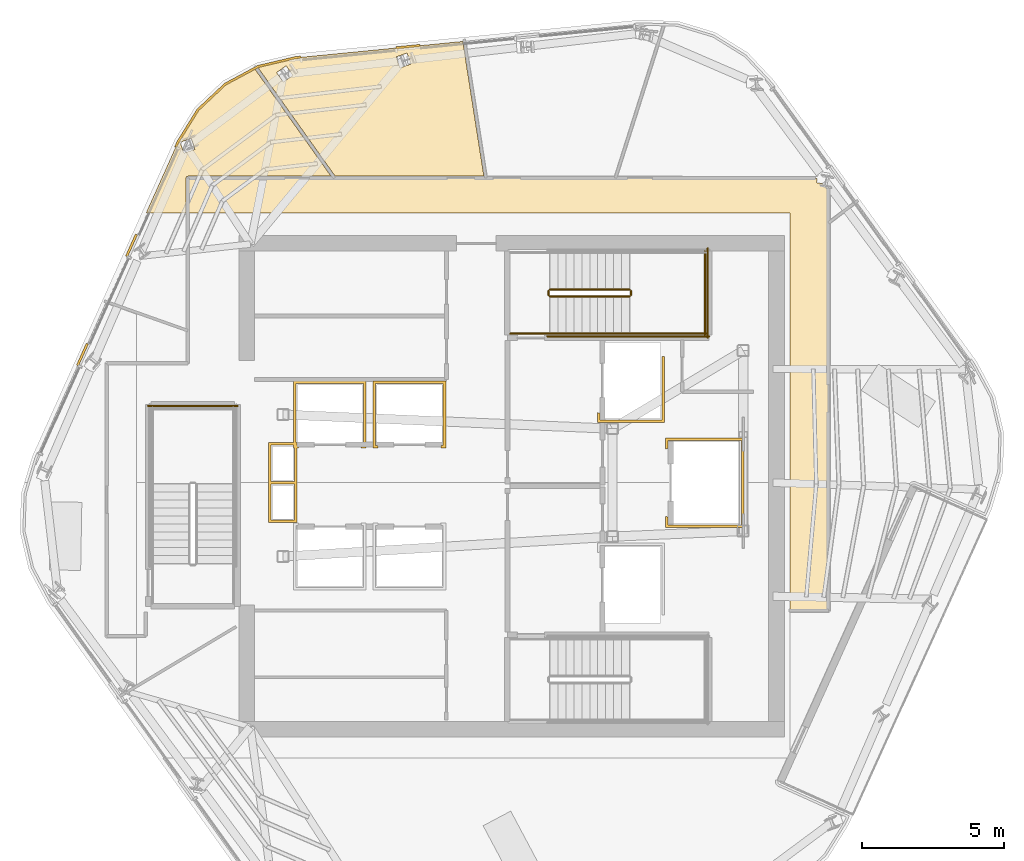
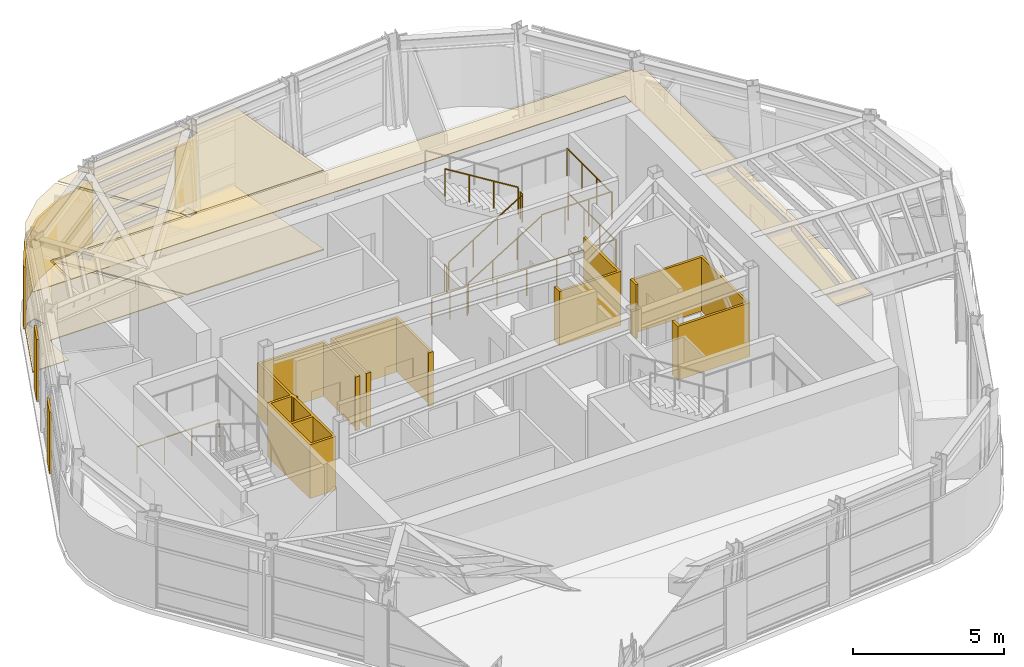
# One storey, part 10 of 12: 13 coverings, 11 railings.
"""IFC4 building model written with IfcOpenShell, lengths in metres."""

import ifcopenshell
import ifcopenshell.guid

model = None  # the IFC model being written
_history = None  # IfcOwnerHistory: only IFC2X3 demands one
_inside = {}  # id of a spatial element -> (the spatial element, [elements in it])
_under = {}  # id of a project, library or spatial element -> (it, [spatial elements below it])
_declared = {}  # id of a project -> (the project, [libraries it declares])
_typed = {}  # id of a type object -> (the type object, [elements of that type])
_made_of = {}  # id of a material, layer set ... -> (it, [elements and type objects made of it])


def new_model(schema):
    """Start an empty IFC model of exactly this schema.

    Asked for "IFC4X3", IfcOpenShell would pick the latest addendum, in which some entities
    have other attributes; the version numbers below select the first issue.
    IFC2X3 requires an IfcOwnerHistory on every rooted entity: one is made here for all.
    """
    global model, _history
    if schema == "IFC4X3":
        model = ifcopenshell.file(schema_version=(4, 3, 0, 0))
    else:
        model = ifcopenshell.file(schema=schema)
    _inside.clear()
    _under.clear()
    _declared.clear()
    _typed.clear()
    _made_of.clear()
    _history = None
    if model.schema == "IFC2X3":
        org = make("IfcOrganization", Name="unknown")
        user = make(
            "IfcPersonAndOrganization",
            ThePerson=make("IfcPerson", FamilyName="unknown"),
            TheOrganization=org,
        )
        app = make(
            "IfcApplication",
            ApplicationDeveloper=org,
            Version="unknown",
            ApplicationFullName="unknown",
            ApplicationIdentifier="unknown",
        )
        _history = make(
            "IfcOwnerHistory",
            OwningUser=user,
            OwningApplication=app,
            ChangeAction="ADDED",
            CreationDate=0,
        )
    return model


def make(cls, **values):
    """One entity of the class cls with the attributes given. An attribute that is None is left unset."""
    return model.create_entity(
        cls, **{name: value for name, value in values.items() if value is not None}
    )


def rooted(cls, **values):
    """An entity with a GlobalId (a new one), such as an element, a storey or a relation."""
    return make(cls, GlobalId=ifcopenshell.guid.new(), OwnerHistory=_history, **values)


def si_unit(unit_type, name, prefix=None):
    """IfcSIUnit, for example si_unit("LENGTHUNIT", "METRE", prefix="MILLI")."""
    return make("IfcSIUnit", UnitType=unit_type, Prefix=prefix, Name=name)


def assignment(units):
    """IfcUnitAssignment: the units of a project."""
    return None if units is None else make("IfcUnitAssignment", Units=units)


def point(xyz):
    """IfcCartesianPoint."""
    return None if xyz is None else make("IfcCartesianPoint", Coordinates=xyz)


def direction(xyz):
    """IfcDirection."""
    return None if xyz is None else make("IfcDirection", DirectionRatios=xyz)


def frame(location, z_axis=None, x_axis=None):
    """IfcAxis2Placement3D, a coordinate frame: its origin and axes. An axis left out is left unset."""
    return make(
        "IfcAxis2Placement3D",
        Location=point(location),
        Axis=direction(z_axis),
        RefDirection=direction(x_axis),
    )


def frame_2d(location, x_axis=None):
    """IfcAxis2Placement2D, a coordinate frame in the plane: its origin and x axis."""
    return make(
        "IfcAxis2Placement2D", Location=point(location), RefDirection=direction(x_axis)
    )


def origin():
    """The frame at (0, 0, 0) with its axes left unset."""
    return frame((0.0, 0.0, 0.0))


def origin_2d():
    """The frame at (0, 0) in the plane with its x axis left unset."""
    return frame_2d((0.0, 0.0))


def place(relative_to, where):
    """IfcLocalPlacement: puts the frame where relative to a parent placement (None: the world)."""
    return make(
        "IfcLocalPlacement", PlacementRelTo=relative_to, RelativePlacement=where
    )


def context(
    kind, dimensions, precision=None, world=None, true_north=None, identifier=None
):
    """IfcGeometricRepresentationContext, for example the 3D "Model" context."""
    return make(
        "IfcGeometricRepresentationContext",
        ContextIdentifier=identifier,
        ContextType=kind,
        CoordinateSpaceDimension=dimensions,
        Precision=precision,
        WorldCoordinateSystem=world,
        TrueNorth=true_north,
    )


def subcontext(parent, identifier, kind, view, scale=None):
    """IfcGeometricRepresentationSubContext, for example "Body" below "Model"."""
    return make(
        "IfcGeometricRepresentationSubContext",
        ContextIdentifier=identifier,
        ContextType=kind,
        ParentContext=parent,
        TargetScale=scale,
        TargetView=view,
    )


def project(units=None, contexts=None):
    """IfcProject with its units and contexts."""
    return rooted(
        "IfcProject",
        Name="project",
        RepresentationContexts=contexts,
        UnitsInContext=assignment(units),
    )


def spatial(cls, under=None, at=None, **own):
    """A site, building, storey or space (cls), placed at a placement, below another one or the project."""
    s = rooted(cls, ObjectPlacement=at, **own)
    if under is not None:
        _under.setdefault(under.id(), (under, []))[1].append(s)
    return s


def polyline(points):
    """IfcPolyline through the points."""
    return make("IfcPolyline", Points=[point(p) for p in points])


def profile(cls, at=None, kind="AREA", **sizes):
    """A parametric profile (cls). Its sizes go by their IFC names, for example OverallWidth=200.0."""
    return make(cls, ProfileType=kind, Position=at, **sizes)


def circle(**sizes):
    """IfcCircleProfileDef."""
    return profile("IfcCircleProfileDef", **sizes)


def outline(outer, holes=None, kind="AREA"):
    """IfcArbitraryClosedProfileDef: a profile drawn as a closed curve; with holes, ...WithVoids."""
    if holes is None:
        return make("IfcArbitraryClosedProfileDef", ProfileType=kind, OuterCurve=outer)
    return make(
        "IfcArbitraryProfileDefWithVoids",
        ProfileType=kind,
        OuterCurve=outer,
        InnerCurves=holes,
    )


def extrude(swept, where, along, depth):
    """IfcExtrudedAreaSolid: the profile swept, set in the frame where, extruded along a direction by depth."""
    return make(
        "IfcExtrudedAreaSolid",
        SweptArea=swept,
        Position=where,
        ExtrudedDirection=direction(along),
        Depth=depth,
    )


def shape(context_of_items, identifier, shape_type, items):
    """IfcShapeRepresentation: the items that make up one representation, for example the "Body"."""
    return make(
        "IfcShapeRepresentation",
        ContextOfItems=context_of_items,
        RepresentationIdentifier=identifier,
        RepresentationType=shape_type,
        Items=items,
    )


def material(Name=None, Category=None):
    """IfcMaterial."""
    return make("IfcMaterial", Name=Name, Category=Category)


def layer(
    of_material, thickness, ventilated=None, Name=None, Category=None, Priority=None
):
    """IfcMaterialLayer: one layer of a wall or slab, of a material (None: an air gap)."""
    return make(
        "IfcMaterialLayer",
        Material=of_material,
        LayerThickness=thickness,
        IsVentilated=ventilated,
        Name=Name,
        Category=Category,
        Priority=Priority,
    )


def layer_set(layers, Name=None):
    """IfcMaterialLayerSet."""
    return make("IfcMaterialLayerSet", MaterialLayers=layers, LayerSetName=Name)


def made_of(thing, what):
    """Note that an element or type object is made of a material, layer set ...; save() writes the relation."""
    if what is not None:
        _made_of.setdefault(what.id(), (what, []))[1].append(thing)
    return thing


def type_object(cls, material=None, **own):
    """A type object (cls), such as IfcWallType, which elements share."""
    return made_of(rooted(cls, **own), material)


def element(
    cls,
    number,
    at=None,
    inside=None,
    cuts=None,
    type_object=None,
    material=None,
    context=None,
    identifier="Body",
    shape_type=None,
    held_by="IfcProductDefinitionShape",
    body=None,
    shapes=None,
    **own,
):
    """One element of the class cls, such as IfcWall. Its Tag is "e" and its number.

    at: its placement. inside: the storey or other place that contains it. cuts: it is an
    opening in that element (IfcRelVoidsElement). A single representation is given by context,
    identifier, shape_type and body (its items); several are given by shapes. held_by: the class
    of the entity that holds the representations. save() writes the other relations.
    """
    e = rooted(cls, Tag="e%d" % number, ObjectPlacement=at, **own)
    if body is not None:
        shapes = [shape(context, identifier, shape_type, body)]
    if shapes is not None:
        e.Representation = make(held_by, Representations=shapes)
    if inside is not None:
        _inside.setdefault(inside.id(), (inside, []))[1].append(e)
    if cuts is not None:
        rooted(
            "IfcRelVoidsElement", RelatingBuildingElement=cuts, RelatedOpeningElement=e
        )
    if type_object is not None:
        _typed.setdefault(type_object.id(), (type_object, []))[1].append(e)
    return made_of(e, material)


def aggregate(whole, parts):
    """IfcRelAggregates: a whole, such as a stair, and the parts it consists of."""
    return rooted("IfcRelAggregates", RelatingObject=whole, RelatedObjects=parts)


def save(model, path):
    """Write the relations noted so far, then the file.

    IfcRelAggregates (storeys below a building ...), IfcRelContainedInSpatialStructure (elements
    in a storey), IfcRelDefinesByType, IfcRelAssociatesMaterial and IfcRelDeclares: one each for
    every whole, place, type object, material and project.
    """
    for whole, parts in _under.values():
        aggregate(whole, parts)
    for where, things in _inside.values():
        rooted(
            "IfcRelContainedInSpatialStructure",
            RelatedElements=things,
            RelatingStructure=where,
        )
    for kind, things in _typed.values():
        rooted("IfcRelDefinesByType", RelatedObjects=things, RelatingType=kind)
    for what, things in _made_of.values():
        rooted("IfcRelAssociatesMaterial", RelatedObjects=things, RelatingMaterial=what)
    for by, libraries in _declared.values():
        rooted("IfcRelDeclares", RelatingContext=by, RelatedDefinitions=libraries)
    model.write(path)


model = new_model("IFC4")

# Units and contexts
model_context = context("Model", 3, precision=1e-05, world=origin(), true_north=direction((0.0, 1.0)))
body_context = subcontext(model_context, "Body", "Model", "MODEL_VIEW")
ifc_project = project(units=[si_unit("LENGTHUNIT", "METRE"), si_unit("AREAUNIT", "SQUARE_METRE"), si_unit("VOLUMEUNIT", "CUBIC_METRE"), si_unit("PLANEANGLEUNIT", "RADIAN"), si_unit("MASSUNIT", "GRAM", prefix="KILO")], contexts=[model_context])

# Site, building, storey
site_placement = place(None, origin())
site = spatial("IfcSite", under=ifc_project, at=site_placement, CompositionType="ELEMENT")
building_placement = place(site_placement, origin())
building = spatial("IfcBuilding", under=site, at=building_placement, Name="Valkerne Bourse Tower", CompositionType="ELEMENT")
storey_placement = place(building_placement, frame((0.0, 0.0, 307.800048828125)))
storey = spatial("IfcBuildingStorey", under=building, at=storey_placement, Name="L78", CompositionType="ELEMENT", Elevation=307.800048828125)

# Coverings
ifc_material_1 = material(Name="Mineral Fiber Acoustic Ceiling Tile", Category="acoustic")
ifc_layer_1 = layer(ifc_material_1, 0.02490234375)
ifc_layer_set_1 = layer_set([ifc_layer_1], Name="Mineral Fiber Acoustic Ceiling Tile")
covering_type_1 = type_object("IfcCoveringType", Name="COV-CEIL-ACT", PredefinedType="CEILING", material=ifc_layer_set_1)
covering_1_placement = place(storey_placement, frame((0.0, 0.0, 3.22998046875)))
element("IfcCovering", 1, at=covering_1_placement, inside=storey, type_object=covering_type_1, Name="L78 Suspended Ceiling 03", PredefinedType="CEILING", context=body_context, shape_type="SweptSolid", body=[
    extrude(outline(polyline([(36.72021484375, 41.027587890625), (37.74853515625, 41.5791015625), (40.44189453125, 37.7890625), (35.399658203125, 37.7890625), (35.37109375, 37.78271484375), (35.348876953125, 37.7666015625), (35.3310546875, 37.720703125), (35.3310546875, 36.5), (33.936279296875, 36.5), (35.057861328125, 38.994873046875), (35.75830078125, 40.124267578125), (36.72021484375, 41.027587890625)]), holes=[polyline([(35.64697265625, 38.73486328125), (35.648681640625, 38.736572265625), (35.51416015625, 39.120361328125), (35.12841796875, 38.98583984375), (35.126708984375, 38.984130859375), (35.26123046875, 38.600341796875), (35.64697265625, 38.73486328125)])]), origin(), (0.0, 0.0, 1.0), 0.02490234375),
])
covering_2_placement = place(storey_placement, frame((0.0, 0.0, 3.22998046875)))
element("IfcCovering", 2, at=covering_2_placement, inside=storey, type_object=covering_type_1, Name="L78 Suspended Ceiling 05", PredefinedType="CEILING", context=body_context, shape_type="SweptSolid", body=[
    extrude(outline(polyline([(45.080078125, 42.533935546875), (45.822998046875, 37.7890625), (40.5869140625, 37.7890625), (37.853515625, 41.63525390625), (37.883056640625, 41.651123046875), (39.177001953125, 41.95458984375), (45.080078125, 42.533935546875)]), holes=[polyline([(38.75927734375, 41.106689453125), (39.093994140625, 41.33642578125), (38.862548828125, 41.674072265625), (38.860595703125, 41.6728515625), (38.52587890625, 41.443359375), (38.757080078125, 41.105712890625), (38.75927734375, 41.106689453125)]), polyline([(43.256103515625, 41.740478515625), (43.1181640625, 42.1259765625), (43.115966796875, 42.12548828125), (42.73388671875, 41.98828125), (42.871826171875, 41.60302734375), (42.8740234375, 41.603515625), (43.256103515625, 41.740478515625)])]), origin(), (0.0, 0.0, 1.0), 0.02490234375),
])
ifc_material_2 = material(Name="Bronze Anodised Aluminium AA 6063-T6", Category="aluminium")
ifc_layer_2 = layer(ifc_material_2, 0.030029296875)
ifc_layer_set_2 = layer_set([ifc_layer_2], Name="Bronze Anodised Aluminium AA 6063-T6")
covering_type_2 = type_object("IfcCoveringType", Name="COV-CEIL-METAL", PredefinedType="CEILING", material=ifc_layer_set_2)
covering_3_placement = place(storey_placement, frame((0.0, 0.0, 3.22998046875)))
element("IfcCovering", 3, at=covering_3_placement, inside=storey, type_object=covering_type_2, Name="L78 Suspended Ceiling 01", PredefinedType="CEILING", context=body_context, shape_type="SweptSolid", body=[
    extrude(outline(polyline([(35.404052734375, 37.716064453125), (57.559814453125, 37.716064453125), (57.531982421875, 37.564697265625), (57.53369140625, 37.56298828125), (57.93603515625, 37.490478515625), (57.946044921875, 37.54541015625), (57.946044921875, 22.50390625), (56.60009765625, 22.50390625), (56.60009765625, 36.5), (35.404052734375, 36.5), (35.404052734375, 37.716064453125)])), origin(), (0.0, 0.0, 1.0), 0.02490234375),
])
ifc_layer_3 = layer(ifc_material_2, 0.06005859375)
ifc_layer_set_3 = layer_set([ifc_layer_3], Name="Bronze Anodised Aluminium AA 6063-T6")
covering_type_3 = type_object("IfcCoveringType", Name="COV-CRN-ALUM", PredefinedType="CLADDING", material=ifc_layer_set_3)
covering_4_placement = place(storey_placement, origin())
element("IfcCovering", 4, at=covering_4_placement, inside=storey, type_object=covering_type_3, Name="L78 Wind-Shaped Corner Aluminium Cladding 08", PredefinedType="CLADDING", context=body_context, shape_type="SweptSolid", body=[
    extrude(outline(polyline([(31.825439453125, 31.911376953125), (31.8984375, 31.87841796875), (31.553955078125, 31.1123046875), (31.48095703125, 31.145263671875), (31.825439453125, 31.911376953125)])), origin(), (0.0, 0.0, 1.0), 2.5),
])
covering_5_placement = place(storey_placement, origin())
element("IfcCovering", 5, at=covering_5_placement, inside=storey, type_object=covering_type_3, Name="L78 Wind-Shaped Corner Aluminium Cladding 09", PredefinedType="CLADDING", context=body_context, shape_type="SweptSolid", body=[
    extrude(outline(polyline([(33.552490234375, 35.753173828125), (33.625244140625, 35.72021484375), (33.281005859375, 34.9541015625), (33.2080078125, 34.98681640625), (33.552490234375, 35.753173828125)])), origin(), (0.0, 0.0, 1.0), 2.5),
])
covering_6_placement = place(storey_placement, origin())
element("IfcCovering", 6, at=covering_6_placement, inside=storey, type_object=covering_type_3, Name="L78 Wind-Shaped Corner Aluminium Cladding 10", PredefinedType="CLADDING", context=body_context, shape_type="SweptSolid", body=[
    extrude(outline(polyline([(35.01904296875, 39.015380859375), (35.723876953125, 40.15234375), (36.6943359375, 41.063720703125), (37.867431640625, 41.692626953125), (39.169677734375, 41.998046875), (39.373779296875, 42.018310546875), (39.381591796875, 41.9384765625), (39.182861328125, 41.9189453125), (37.89599609375, 41.6171875), (36.7412109375, 40.998291015625), (35.786376953125, 40.101318359375), (35.08984375, 38.977783203125), (35.0078125, 38.795654296875), (34.934814453125, 38.82861328125), (35.01904296875, 39.015380859375)])), origin(), (0.0, 0.0, 1.0), 2.5),
])
covering_7_placement = place(storey_placement, origin())
element("IfcCovering", 7, at=covering_7_placement, inside=storey, type_object=covering_type_3, Name="L78 Wind-Shaped Corner Aluminium Cladding 11", PredefinedType="CLADDING", context=body_context, shape_type="SweptSolid", body=[
    extrude(outline(polyline([(43.5654296875, 42.4296875), (43.573486328125, 42.35009765625), (42.737548828125, 42.267822265625), (42.7294921875, 42.347412109375), (43.5654296875, 42.4296875)])), origin(), (0.0, 0.0, 1.0), 2.5),
])
ifc_material_3 = material(Name="Galvanised Painted Steel", Category="steel")
ifc_layer_4 = layer(ifc_material_3, 0.044921875)
ifc_layer_set_4 = layer_set([ifc_layer_4], Name="Galvanised Painted Steel")
covering_type_4 = type_object("IfcCoveringType", Name="COV-FLR-RAF", PredefinedType="FLOORING", material=ifc_layer_set_4)
covering_8_placement = place(storey_placement, origin())
element("IfcCovering", 8, at=covering_8_placement, inside=storey, type_object=covering_type_4, Name="L78 Floor Finish 05", PredefinedType="FLOORING", context=body_context, shape_type="SweptSolid", body=[
    extrude(outline(polyline([(45.080078125, 42.533935546875), (45.822998046875, 37.7890625), (40.5869140625, 37.7890625), (37.853515625, 41.63525390625), (37.883056640625, 41.651123046875), (39.177001953125, 41.95458984375), (45.080078125, 42.533935546875)]), holes=[polyline([(38.75927734375, 41.106689453125), (39.093994140625, 41.33642578125), (38.862548828125, 41.674072265625), (38.860595703125, 41.6728515625), (38.52587890625, 41.443359375), (38.757080078125, 41.105712890625), (38.75927734375, 41.106689453125)]), polyline([(43.256103515625, 41.740478515625), (43.1181640625, 42.1259765625), (43.115966796875, 42.12548828125), (42.73388671875, 41.98828125), (42.871826171875, 41.60302734375), (42.8740234375, 41.603515625), (43.256103515625, 41.740478515625)])]), origin(), (0.0, 0.0, 1.0), 0.044921875),
])
ifc_material_4 = material(Name="Polished Granite Stone", Category="masonry")
ifc_layer_5 = layer(ifc_material_4, 0.030029296875)
ifc_layer_set_5 = layer_set([ifc_layer_5], Name="Polished Granite Stone")
covering_type_5 = type_object("IfcCoveringType", Name="COV-FLR-TERRAZZO", PredefinedType="FLOORING", material=ifc_layer_set_5)
covering_9_placement = place(storey_placement, origin())
element("IfcCovering", 9, at=covering_9_placement, inside=storey, type_object=covering_type_5, Name="L78 Floor Finish 03", PredefinedType="FLOORING", context=body_context, shape_type="SweptSolid", body=[
    extrude(outline(polyline([(36.72021484375, 41.027587890625), (37.74853515625, 41.5791015625), (40.44189453125, 37.7890625), (35.399658203125, 37.7890625), (35.37109375, 37.78271484375), (35.348876953125, 37.7666015625), (35.3310546875, 37.720703125), (35.3310546875, 36.5), (33.936279296875, 36.5), (35.057861328125, 38.994873046875), (35.75830078125, 40.124267578125), (36.72021484375, 41.027587890625)]), holes=[polyline([(35.64697265625, 38.73486328125), (35.648681640625, 38.736572265625), (35.51416015625, 39.120361328125), (35.12841796875, 38.98583984375), (35.126708984375, 38.984130859375), (35.26123046875, 38.600341796875), (35.64697265625, 38.73486328125)])]), origin(), (0.0, 0.0, 1.0), 0.030029296875),
])
ifc_material_5 = material(Name="Gypsum Shaftwall Liner Board", Category="gypsum")
ifc_layer_6 = layer(ifc_material_5, 0.080078125)
ifc_layer_set_6 = layer_set([ifc_layer_6], Name="Gypsum Shaftwall Liner Board")
covering_type_6 = type_object("IfcCoveringType", Name="COV-SHF-CLAD", PredefinedType="CLADDING", material=ifc_layer_set_6)
covering_10_placement = place(storey_placement, origin())
element("IfcCovering", 10, at=covering_10_placement, inside=storey, type_object=covering_type_6, Name="L78 Hoistway & Riser Shaftwall Liner 04", PredefinedType="CLADDING", context=body_context, shape_type="SweptSolid", body=[
    extrude(outline(polyline([(38.239990234375, 27.0400390625), (38.239990234375, 28.409912109375), (39.1201171875, 28.409912109375), (39.1201171875, 30.580078125), (41.679931640625, 30.580078125), (41.679931640625, 28.219970703125), (41.500732421875, 28.219970703125), (41.511474609375, 28.26220703125), (41.517822265625, 28.305908203125), (41.51806640625, 28.31005859375), (41.590087890625, 28.31005859375), (41.590087890625, 30.489990234375), (39.2099609375, 30.489990234375), (39.2099609375, 28.409912109375), (39.239990234375, 28.409912109375), (39.239990234375, 28.31005859375), (39.281982421875, 28.31005859375), (39.2822265625, 28.305908203125), (39.28857421875, 28.26220703125), (39.29931640625, 28.219970703125), (39.239990234375, 28.219970703125), (39.239990234375, 27.0400390625), (39.239990234375, 26.9599609375), (39.239990234375, 25.590087890625), (38.239990234375, 25.590087890625), (38.239990234375, 26.9599609375), (38.239990234375, 27.0400390625)]), holes=[polyline([(39.14990234375, 26.949951171875), (38.330078125, 26.949951171875), (38.330078125, 25.679931640625), (39.14990234375, 25.679931640625), (39.14990234375, 26.949951171875)]), polyline([(39.14990234375, 28.219970703125), (39.1201171875, 28.219970703125), (39.1201171875, 28.320068359375), (38.330078125, 28.320068359375), (38.330078125, 27.050048828125), (39.14990234375, 27.050048828125), (39.14990234375, 28.219970703125)])]), origin(), (0.0, 0.0, 1.0), 2.179931640625),
])
covering_11_placement = place(storey_placement, origin())
element("IfcCovering", 11, at=covering_11_placement, inside=storey, type_object=covering_type_6, Name="L78 Hoistway & Riser Shaftwall Liner 05", PredefinedType="CLADDING", context=body_context, shape_type="SweptSolid", body=[
    extrude(outline(polyline([(54.97998046875, 28.580078125), (54.97998046875, 25.419921875), (52.219970703125, 25.419921875), (52.219970703125, 25.81787109375), (52.227783203125, 25.814208984375), (52.269287109375, 25.79931640625), (52.31005859375, 25.789306640625), (52.31005859375, 25.510009765625), (54.889892578125, 25.510009765625), (54.889892578125, 28.489990234375), (52.31005859375, 28.489990234375), (52.31005859375, 28.210693359375), (52.269287109375, 28.20068359375), (52.227783203125, 28.185791015625), (52.219970703125, 28.18212890625), (52.219970703125, 28.580078125), (54.97998046875, 28.580078125)])), origin(), (0.0, 0.0, 1.0), 2.179931640625),
])
covering_12_placement = place(storey_placement, origin())
element("IfcCovering", 12, at=covering_12_placement, inside=storey, type_object=covering_type_6, Name="L78 Hoistway & Riser Shaftwall Liner 06", PredefinedType="CLADDING", context=body_context, shape_type="SweptSolid", body=[
    extrude(outline(polyline([(44.47998046875, 28.219970703125), (44.30078125, 28.219970703125), (44.311279296875, 28.26220703125), (44.31787109375, 28.305908203125), (44.318115234375, 28.31005859375), (44.389892578125, 28.31005859375), (44.389892578125, 30.489990234375), (42.010009765625, 30.489990234375), (42.010009765625, 28.31005859375), (42.08203125, 28.31005859375), (42.082275390625, 28.305908203125), (42.088623046875, 28.26220703125), (42.09912109375, 28.219970703125), (41.919921875, 28.219970703125), (41.919921875, 30.580078125), (44.47998046875, 30.580078125), (44.47998046875, 28.219970703125)])), origin(), (0.0, 0.0, 1.0), 2.179931640625),
])
covering_13_placement = place(storey_placement, origin())
element("IfcCovering", 13, at=covering_13_placement, inside=storey, type_object=covering_type_6, Name="L78 Hoistway & Riser Shaftwall Liner 07", PredefinedType="CLADDING", context=body_context, shape_type="SweptSolid", body=[
    extrude(outline(polyline([(49.820068359375, 29.1201171875), (49.820068359375, 29.468017578125), (49.827880859375, 29.46435546875), (49.869384765625, 29.449462890625), (49.909912109375, 29.439208984375), (49.909912109375, 29.2099609375), (52.090087890625, 29.2099609375), (52.090087890625, 31.449951171875), (52.179931640625, 31.449951171875), (52.179931640625, 29.1201171875), (49.820068359375, 29.1201171875)])), origin(), (0.0, 0.0, 1.0), 2.179931640625),
])

# Railings
railing_type_1 = type_object("IfcRailingType", Name="RLG-ST-GUARD-1120", PredefinedType="GUARDRAIL", material=ifc_material_3)
railing_1_placement = place(storey_placement, frame((48.14990234375, 33.550048828125, 0.172607421875)))
element("IfcRailing", 14, at=railing_1_placement, inside=storey, type_object=railing_type_1, Name="L78 ST-2 stair guard 1", PredefinedType="GUARDRAIL", context=body_context, shape_type="SweptSolid", body=[
    extrude(circle(Radius=0.02392578125, at=origin_2d()), frame((0.0, 0.0, 1.09619140625), z_axis=(0.851089632645, 0.0, 0.525020415988), x_axis=(0.0, 1.0, 0.0)), (0.0, 0.0, 1.0), 3.2900390625),
    extrude(circle(Radius=0.02099609375, at=origin_2d()), origin(), (0.0, 0.0, 1.0), 1.072021484375),
    extrude(circle(Radius=0.02099609375, at=origin_2d()), frame((0.933349609375, 0.0, 0.57568359375)), (0.0, 0.0, 1.0), 1.072021484375),
    extrude(circle(Radius=0.02099609375, at=origin_2d()), frame((1.86669921875, 0.0, 1.151611328125)), (0.0, 0.0, 1.0), 1.072021484375),
    extrude(circle(Radius=0.02099609375, at=origin_2d()), frame((2.800048828125, 0.0, 1.727294921875)), (0.0, 0.0, 1.0), 1.072021484375),
])
railing_2_placement = place(storey_placement, frame((51.0, 33.60009765625, 1.89990234375)))
element("IfcRailing", 15, at=railing_2_placement, inside=storey, type_object=railing_type_1, Name="L78 ST-2 stair guard 2", PredefinedType="GUARDRAIL", context=body_context, shape_type="SweptSolid", body=[
    extrude(circle(Radius=0.02392578125, at=origin_2d()), frame((0.0, 0.0, 1.09619140625), z_axis=(0.0, 1.0, 0.0), x_axis=(-1.0, 0.0, 0.0)), (0.0, 0.0, 1.0), 0.14990234375),
    extrude(circle(Radius=0.02099609375, at=origin_2d()), origin(), (0.0, 0.0, 1.0), 1.072021484375),
    extrude(circle(Radius=0.02099609375, at=origin_2d()), frame((0.0, 0.14990234375, 0.0)), (0.0, 0.0, 1.0), 1.072021484375),
])
railing_3_placement = place(storey_placement, frame((50.949951171875, 32.25, 1.89990234375)))
element("IfcRailing", 16, at=railing_3_placement, inside=storey, type_object=railing_type_1, Name="L78 ST-2 stair guard 3", PredefinedType="GUARDRAIL", context=body_context, shape_type="SweptSolid", body=[
    extrude(circle(Radius=0.02392578125, at=origin_2d()), frame((0.0, 0.0, 1.09619140625), z_axis=(1.0, 0.0, 0.0), x_axis=(0.0, 1.0, 0.0)), (0.0, 0.0, 1.0), 2.699951171875),
    extrude(circle(Radius=0.02099609375, at=origin_2d()), origin(), (0.0, 0.0, 1.0), 1.072021484375),
    extrude(circle(Radius=0.02099609375, at=origin_2d()), frame((0.89990234375, 0.0, 0.0)), (0.0, 0.0, 1.0), 1.072021484375),
    extrude(circle(Radius=0.02099609375, at=origin_2d()), frame((1.800048828125, 0.0, 0.0)), (0.0, 0.0, 1.0), 1.072021484375),
    extrude(circle(Radius=0.02099609375, at=origin_2d()), frame((2.699951171875, 0.0, 0.0)), (0.0, 0.0, 1.0), 1.072021484375),
])
railing_4_placement = place(storey_placement, frame((53.60009765625, 32.199951171875, 1.89990234375)))
element("IfcRailing", 17, at=railing_4_placement, inside=storey, type_object=railing_type_1, Name="L78 ST-2 stair guard 5", PredefinedType="GUARDRAIL", context=body_context, shape_type="SweptSolid", body=[
    extrude(circle(Radius=0.02392578125, at=origin_2d()), frame((0.0, 0.0, 1.09619140625), z_axis=(0.0, 1.0, 0.0), x_axis=(-1.0, 0.0, 0.0)), (0.0, 0.0, 1.0), 2.949951171875),
    extrude(circle(Radius=0.02099609375, at=origin_2d()), origin(), (0.0, 0.0, 1.0), 1.072021484375),
    extrude(circle(Radius=0.02099609375, at=origin_2d()), frame((0.0, 0.9833984375, 0.0)), (0.0, 0.0, 1.0), 1.072021484375),
    extrude(circle(Radius=0.02099609375, at=origin_2d()), frame((0.0, 1.966552734375, 0.0)), (0.0, 0.0, 1.0), 1.072021484375),
    extrude(circle(Radius=0.02099609375, at=origin_2d()), frame((0.0, 2.949951171875, 0.0)), (0.0, 0.0, 1.0), 1.072021484375),
])
railing_5_placement = place(storey_placement, frame((50.949951171875, 33.800048828125, 2.07275390625)))
element("IfcRailing", 18, at=railing_5_placement, inside=storey, type_object=railing_type_1, Name="L78 ST-2 stair guard 6", PredefinedType="GUARDRAIL", context=body_context, shape_type="SweptSolid", body=[
    extrude(circle(Radius=0.02392578125, at=origin_2d()), frame((0.0, 0.0, 1.09619140625), z_axis=(-0.851089632645, 0.0, 0.525020415988), x_axis=(0.0, -1.0, 0.0)), (0.0, 0.0, 1.0), 3.2900390625),
    extrude(circle(Radius=0.02099609375, at=origin_2d()), origin(), (0.0, 0.0, 1.0), 1.072021484375),
    extrude(circle(Radius=0.02099609375, at=origin_2d()), frame((-0.933349609375, 0.0, 0.57568359375)), (0.0, 0.0, 1.0), 1.072021484375),
    extrude(circle(Radius=0.02099609375, at=origin_2d()), frame((-1.86669921875, 0.0, 1.151611328125)), (0.0, 0.0, 1.0), 1.072021484375),
    extrude(circle(Radius=0.02099609375, at=origin_2d()), frame((-2.800048828125, 0.0, 1.727294921875)), (0.0, 0.0, 1.0), 1.072021484375),
])
railing_6_placement = place(storey_placement, frame((48.10009765625, 33.60009765625, 0.0)))
element("IfcRailing", 19, at=railing_6_placement, inside=storey, type_object=railing_type_1, Name="L78 ST-2 stair guard 7", PredefinedType="GUARDRAIL", context=body_context, shape_type="SweptSolid", body=[
    extrude(circle(Radius=0.02392578125, at=origin_2d()), frame((0.0, 0.0, 1.09619140625), z_axis=(0.0, 1.0, 0.0), x_axis=(-1.0, 0.0, 0.0)), (0.0, 0.0, 1.0), 0.14990234375),
    extrude(circle(Radius=0.02099609375, at=origin_2d()), origin(), (0.0, 0.0, 1.0), 1.072021484375),
    extrude(circle(Radius=0.02099609375, at=origin_2d()), frame((0.0, 0.14990234375, 0.0)), (0.0, 0.0, 1.0), 1.072021484375),
])
railing_7_placement = place(storey_placement, frame((46.75, 32.25, 0.0)))
element("IfcRailing", 20, at=railing_7_placement, inside=storey, type_object=railing_type_1, Name="L78 ST-2 stair guard 8", PredefinedType="GUARDRAIL", context=body_context, shape_type="SweptSolid", body=[
    extrude(circle(Radius=0.02392578125, at=origin_2d()), frame((0.0, 0.0, 1.09619140625), z_axis=(1.0, 0.0, 0.0), x_axis=(0.0, 1.0, 0.0)), (0.0, 0.0, 1.0), 1.39990234375),
    extrude(circle(Radius=0.02099609375, at=origin_2d()), origin(), (0.0, 0.0, 1.0), 1.072021484375),
    extrude(circle(Radius=0.02099609375, at=origin_2d()), frame((0.699951171875, 0.0, 0.0)), (0.0, 0.0, 1.0), 1.072021484375),
    extrude(circle(Radius=0.02099609375, at=origin_2d()), frame((1.39990234375, 0.0, 0.0)), (0.0, 0.0, 1.0), 1.072021484375),
])
railing_8_placement = place(storey_placement, frame((48.050048828125, 32.14990234375, 0.0)))
element("IfcRailing", 21, at=railing_8_placement, inside=storey, type_object=railing_type_1, Name="L78 ST-2 stair guard 10", PredefinedType="GUARDRAIL", context=body_context, shape_type="SweptSolid", body=[
    extrude(circle(Radius=0.02392578125, at=origin_2d()), frame((0.0, 0.0, 1.09619140625), z_axis=(1.0, 0.0, 0.0), x_axis=(0.0, 1.0, 0.0)), (0.0, 0.0, 1.0), 5.699951171875),
    extrude(circle(Radius=0.02099609375, at=origin_2d()), origin(), (0.0, 0.0, 1.0), 1.072021484375),
    extrude(circle(Radius=0.02099609375, at=origin_2d()), frame((1.139892578125, 0.0, 0.0)), (0.0, 0.0, 1.0), 1.072021484375),
    extrude(circle(Radius=0.02099609375, at=origin_2d()), frame((2.280029296875, 0.0, 0.0)), (0.0, 0.0, 1.0), 1.072021484375),
    extrude(circle(Radius=0.02099609375, at=origin_2d()), frame((3.419921875, 0.0, 0.0)), (0.0, 0.0, 1.0), 1.072021484375),
    extrude(circle(Radius=0.02099609375, at=origin_2d()), frame((4.56005859375, 0.0, 0.0)), (0.0, 0.0, 1.0), 1.072021484375),
    extrude(circle(Radius=0.02099609375, at=origin_2d()), frame((5.699951171875, 0.0, 0.0)), (0.0, 0.0, 1.0), 1.072021484375),
])
railing_9_placement = place(storey_placement, frame((53.699951171875, 32.10009765625, 0.0)))
element("IfcRailing", 22, at=railing_9_placement, inside=storey, type_object=railing_type_1, Name="L78 ST-2 stair guard 12", PredefinedType="GUARDRAIL", context=body_context, shape_type="SweptSolid", body=[
    extrude(circle(Radius=0.02392578125, at=origin_2d()), frame((0.0, 0.0, 1.09619140625), z_axis=(0.0, 1.0, 0.0), x_axis=(-1.0, 0.0, 0.0)), (0.0, 0.0, 1.0), 3.14990234375),
    extrude(circle(Radius=0.02099609375, at=origin_2d()), origin(), (0.0, 0.0, 1.0), 1.072021484375),
    extrude(circle(Radius=0.02099609375, at=origin_2d()), frame((0.0, 1.050048828125, 0.0)), (0.0, 0.0, 1.0), 1.072021484375),
    extrude(circle(Radius=0.02099609375, at=origin_2d()), frame((0.0, 2.099853515625, 0.0)), (0.0, 0.0, 1.0), 1.072021484375),
    extrude(circle(Radius=0.02099609375, at=origin_2d()), frame((0.0, 3.14990234375, 0.0)), (0.0, 0.0, 1.0), 1.072021484375),
])
railing_10_placement = place(storey_placement, frame((37.14990234375, 29.699951171875, 0.0)))
element("IfcRailing", 23, at=railing_10_placement, inside=storey, type_object=railing_type_1, Name="L78 ST-3 stair guard 12", PredefinedType="GUARDRAIL", context=body_context, shape_type="SweptSolid", body=[
    extrude(circle(Radius=0.02392578125, at=origin_2d()), frame((0.0, 0.0, 1.09619140625), z_axis=(-1.0, 0.0, 0.0), x_axis=(0.0, -1.0, 0.0)), (0.0, 0.0, 1.0), 3.14990234375),
    extrude(circle(Radius=0.02099609375, at=origin_2d()), origin(), (0.0, 0.0, 1.0), 1.072021484375),
    extrude(circle(Radius=0.02099609375, at=origin_2d()), frame((-1.050048828125, 0.0, 0.0)), (0.0, 0.0, 1.0), 1.072021484375),
    extrude(circle(Radius=0.02099609375, at=origin_2d()), frame((-2.099853515625, 0.0, 0.0)), (0.0, 0.0, 1.0), 1.072021484375),
    extrude(circle(Radius=0.02099609375, at=origin_2d()), frame((-3.14990234375, 0.0, 0.0)), (0.0, 0.0, 1.0), 1.072021484375),
])
ifc_material_6 = material(Name="Stainless Steel AISI 316", Category="steel")
railing_type_2 = type_object("IfcRailingType", Name="RLG-ST-HANDRAIL-900", PredefinedType="HANDRAIL", material=ifc_material_6)
railing_11_placement = place(storey_placement, frame((48.14990234375, 32.25, 0.345458984375)))
element("IfcRailing", 24, at=railing_11_placement, inside=storey, type_object=railing_type_2, Name="L78 ST-2 stair handrail 1", PredefinedType="HANDRAIL", context=body_context, shape_type="SweptSolid", body=[
    extrude(circle(Radius=0.02392578125, at=origin_2d()), frame((0.0, 0.0, 0.8759765625), z_axis=(0.851089632645, 0.0, 0.525020415988), x_axis=(0.0, 1.0, 0.0)), (0.0, 0.0, 1.0), 3.2900390625),
    extrude(circle(Radius=0.02099609375, at=origin_2d()), origin(), (0.0, 0.0, 1.0), 0.851806640625),
    extrude(circle(Radius=0.02099609375, at=origin_2d()), frame((0.933349609375, 0.0, 0.57568359375)), (0.0, 0.0, 1.0), 0.851806640625),
    extrude(circle(Radius=0.02099609375, at=origin_2d()), frame((1.86669921875, 0.0, 1.151611328125)), (0.0, 0.0, 1.0), 0.851806640625),
    extrude(circle(Radius=0.02099609375, at=origin_2d()), frame((2.800048828125, 0.0, 1.727294921875)), (0.0, 0.0, 1.0), 0.851806640625),
])

save(model, "model.ifc")
